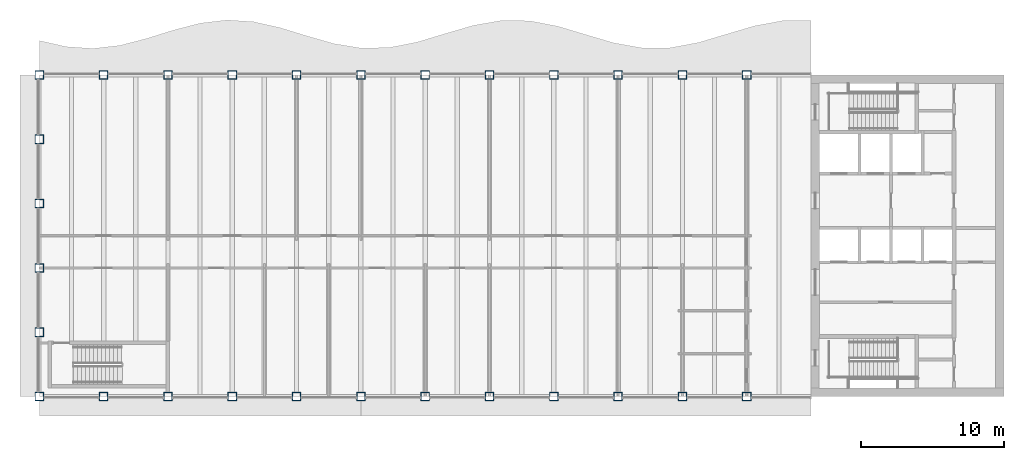
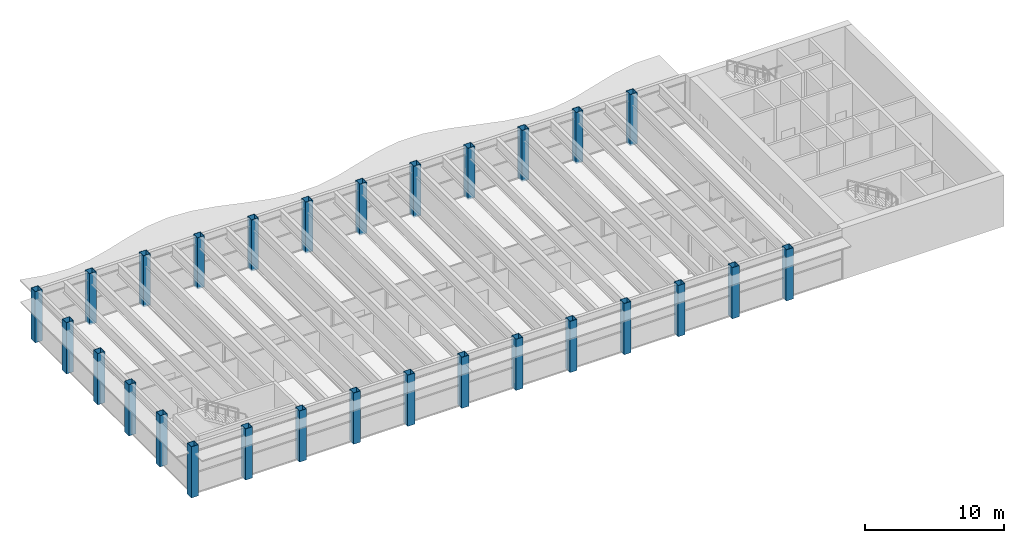
# One storey, part 1 of 14: 28 columns.
"""IFC4 building model written with IfcOpenShell, lengths in metres."""

from ifc_helpers import new_model, si_unit, direction, frame, origin, origin_2d, place, context, subcontext, project, spatial, hollow_rectangle, extrude, material, material_profile, profile_set, type_object, element, save


model = new_model("IFC4")

# Units and contexts
model_context = context("Model", 3, precision=1e-05, world=origin(), true_north=direction((0.0, 1.0)))
body_context = subcontext(model_context, "Body", "Model", "MODEL_VIEW")
ifc_project = project(units=[si_unit("LENGTHUNIT", "METRE"), si_unit("AREAUNIT", "SQUARE_METRE"), si_unit("VOLUMEUNIT", "CUBIC_METRE"), si_unit("PLANEANGLEUNIT", "RADIAN"), si_unit("MASSUNIT", "GRAM", prefix="KILO")], contexts=[model_context])

# Site, building, storey
site_placement = place(None, origin())
site = spatial("IfcSite", under=ifc_project, at=site_placement, CompositionType="ELEMENT")
building_placement = place(site_placement, origin())
building = spatial("IfcBuilding", under=site, at=building_placement, Name="Sennacour Bend Tower", CompositionType="ELEMENT")
storey_placement = place(building_placement, frame((0.0, 0.0, 332.0)))
storey = spatial("IfcBuildingStorey", under=building, at=storey_placement, Name="L76", CompositionType="ELEMENT", Elevation=332.0)

# Columns
ifc_material = material(Name="Steel ASTM A572 Grade 50", Category="steel")
ifc_material_profile = material_profile(ifc_material, hollow_rectangle(XDim=0.60009765625, YDim=0.60009765625, WallThickness=0.030029296875, at=origin_2d()), Name="Steel ASTM A572 Grade 50", Category="steel")
ifc_profile_set = profile_set([ifc_material_profile], Name="Steel ASTM A572 Grade 50")
column_type = type_object("IfcColumnType", Name="Box column 600", PredefinedType="COLUMN", material=ifc_profile_set)
for number, where, z_axis, x_axis, name in (
    (1, (0.0, 0.0, -0.14990234375), (0.0, 0.0, 1.0), (1.0, 0.0, 0.0), "Perimeter column C6 L76-001"),
    (2, (0.0, 4.5, -0.14990234375), (0.0, 0.0, 1.0), (1.0, 0.0, 0.0), "Perimeter column C6 L76-002"),
    (3, (0.0, 9.0, -0.14990234375), (0.0, 0.0, 1.0), (1.0, 0.0, 0.0), "Perimeter column C6 L76-003"),
    (4, (0.0, 13.5, -0.14990234375), (0.0, 0.0, 1.0), (1.0, 0.0, 0.0), "Perimeter column C6 L76-004"),
    (5, (0.0, 18.0, -0.14990234375), (0.0, 0.0, 1.0), (1.0, 0.0, 0.0), "Perimeter column C6 L76-005"),
    (6, (0.0, 22.5, -0.14990234375), (0.0, 0.0, 1.0), (1.0, 0.0, 0.0), "Perimeter column C6 L76-006"),
    (7, (4.5, 0.0, -0.14990234375), (0.0, 0.0, 1.0), (1.0, 0.0, 0.0), "Perimeter column C6 L76-007"),
    (8, (4.5, 22.5, -0.14990234375), (0.0, 0.0, 1.0), (1.0, 0.0, 0.0), "Perimeter column C6 L76-008"),
    (9, (9.0, 0.0, -0.14990234375), (0.0, 0.0, 1.0), (1.0, 0.0, 0.0), "Perimeter column C6 L76-009"),
    (10, (9.0, 22.5, -0.14990234375), (0.0, 0.0, 1.0), (1.0, 0.0, 0.0), "Perimeter column C6 L76-010"),
    (11, (13.5, 0.0, -0.14990234375), (0.0, 0.0, 1.0), (1.0, 0.0, 0.0), "Perimeter column C6 L76-011"),
    (12, (13.5, 22.5, -0.14990234375), (0.0, 0.0, 1.0), (1.0, 0.0, 0.0), "Perimeter column C6 L76-012"),
    (13, (18.0, 0.0, -0.14990234375), (0.0, 0.0, 1.0), (1.0, 0.0, 0.0), "Perimeter column C6 L76-013"),
    (14, (18.0, 22.5, -0.14990234375), (0.0, 0.0, 1.0), (1.0, 0.0, 0.0), "Perimeter column C6 L76-014"),
    (15, (22.5, 0.0, -0.14990234375), (0.0, 0.0, 1.0), (1.0, 0.0, 0.0), "Perimeter column C6 L76-015"),
    (16, (22.5, 22.5, -0.14990234375), (0.0, 0.0, 1.0), (1.0, 0.0, 0.0), "Perimeter column C6 L76-016"),
    (17, (27.0, 0.0, -0.14990234375), (0.0, 0.0, 1.0), (1.0, 0.0, 0.0), "Perimeter column C6 L76-017"),
    (18, (27.0, 22.5, -0.14990234375), (0.0, 0.0, 1.0), (1.0, 0.0, 0.0), "Perimeter column C6 L76-018"),
    (19, (31.5, 0.0, -0.14990234375), (0.0, 0.0, 1.0), (1.0, 0.0, 0.0), "Perimeter column C6 L76-019"),
    (20, (31.5, 22.5, -0.14990234375), (0.0, 0.0, 1.0), (1.0, 0.0, 0.0), "Perimeter column C6 L76-020"),
    (21, (36.0, 0.0, -0.14990234375), (0.0, 0.0, 1.0), (1.0, 0.0, 0.0), "Perimeter column C6 L76-021"),
    (22, (36.0, 22.5, -0.14990234375), (0.0, 0.0, 1.0), (1.0, 0.0, 0.0), "Perimeter column C6 L76-022"),
    (23, (40.5, 0.0, -0.14990234375), (0.0, 0.0, 1.0), (1.0, 0.0, 0.0), "Perimeter column C6 L76-023"),
    (24, (40.5, 22.5, -0.14990234375), (0.0, 0.0, 1.0), (1.0, 0.0, 0.0), "Perimeter column C6 L76-024"),
    (25, (45.0, 0.0, -0.14990234375), (0.0, 0.0, 1.0), (1.0, 0.0, 0.0), "Perimeter column C6 L76-025"),
    (26, (45.0, 22.5, -0.14990234375), (0.0, 0.0, 1.0), (1.0, 0.0, 0.0), "Perimeter column C6 L76-026"),
    (27, (49.5, 0.0, -0.14990234375), (0.0, 0.0, 1.0), (1.0, 0.0, 0.0), "Perimeter column C6 L76-027"),
    (28, (49.5, 22.5, -0.14990234375), (0.0, 0.0, 1.0), (1.0, 0.0, 0.0), "Perimeter column C6 L76-028"),
):
    element("IfcColumn", number, at=place(storey_placement, frame(where, z_axis=z_axis, x_axis=x_axis)), inside=storey, type_object=column_type, Name=name, PredefinedType="COLUMN", context=body_context, shape_type="SweptSolid", body=[
        extrude(hollow_rectangle(XDim=0.60009765625, YDim=0.60009765625, WallThickness=0.030029296875, at=origin_2d()), origin(), (0.0, 0.0, 1.0), 4.5),
    ])

save(model, "model.ifc")
